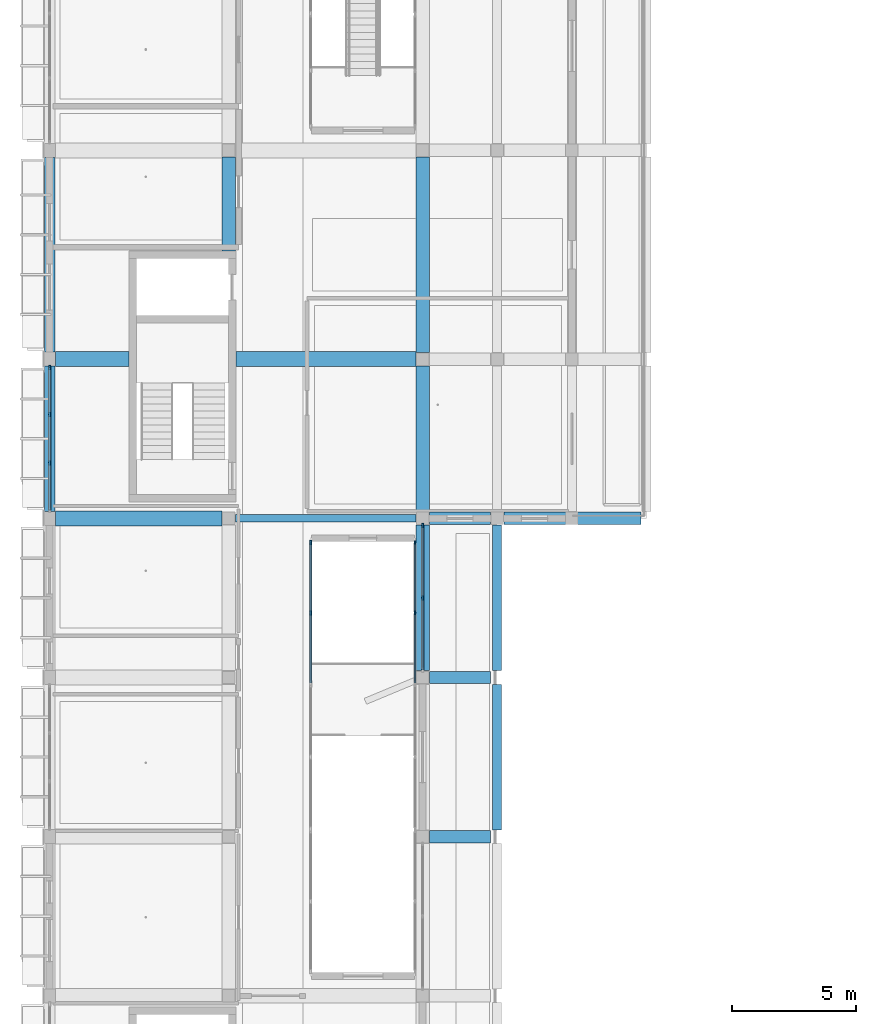
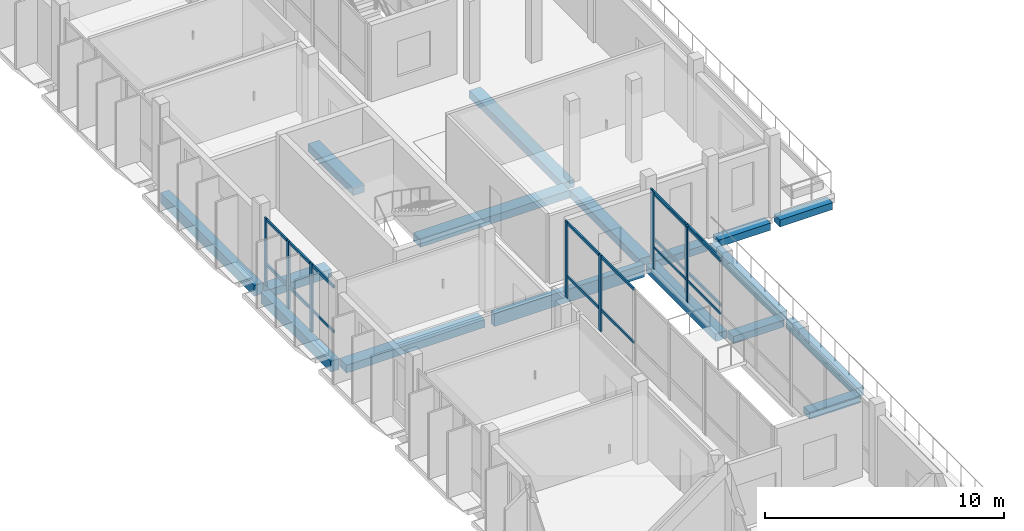
# One storey, part 9 of 85: 17 beams, 17 members, 4 elements without a shape of their own.
"""IFC4 building model written with IfcOpenShell, lengths in metres."""

from ifc_helpers import new_model, si_unit, derived_unit, direction, frame, origin, origin_2d, place, context, subcontext, project, spatial, rectangle, extrude, material, material_profile, profile_set, type_object, element, aggregate, save


model = new_model("IFC4")

# Units and contexts
model_context = context("Model", 3, precision=1e-05, world=origin(), true_north=direction((0.0, 1.0)))
body_context = subcontext(model_context, "Body", "Model", "MODEL_VIEW")
ifc_project = project(units=[si_unit("LENGTHUNIT", "METRE"), si_unit("AREAUNIT", "SQUARE_METRE"), si_unit("VOLUMEUNIT", "CUBIC_METRE"), si_unit("PLANEANGLEUNIT", "RADIAN"), si_unit("MASSUNIT", "GRAM", prefix="KILO"), derived_unit("THERMALTRANSMITTANCEUNIT", [(si_unit("POWERUNIT", "WATT"), 1), (si_unit("LENGTHUNIT", "METRE"), -2), (si_unit("THERMODYNAMICTEMPERATUREUNIT", "KELVIN"), -1)])], contexts=[model_context])

# Site, building, storey
site_placement = place(None, origin())
site = spatial("IfcSite", under=ifc_project, at=site_placement, CompositionType="ELEMENT")
building_placement = place(site_placement, origin())
building = spatial("IfcBuilding", under=site, at=building_placement, Name="Braskholm Square Health Centre", CompositionType="ELEMENT")
storey_placement = place(building_placement, frame((0.0, 0.0, 9.300048828125)))
storey = spatial("IfcBuildingStorey", under=building, at=storey_placement, Name="L03", CompositionType="ELEMENT", Elevation=9.300048828125)

# Curtain wall, members
ifc_material_1 = material(Name="Low-E triple insulating glass (VLT 0.64)", Category="glass")
curtain_wall_type_1 = type_object("IfcCurtainWallType", Name="UnitisedCurtainWall5400x3800", PredefinedType="NOTDEFINED", material=ifc_material_1)
curtain_wall_1_placement = place(storey_placement, origin())
curtain_wall_1 = element("IfcCurtainWall", 1, at=curtain_wall_1_placement, inside=storey, type_object=curtain_wall_type_1, Name="WC1 Court E unitised curtain wall CW-L03-0266", PredefinedType="NOTDEFINED")
ifc_material_2 = material(Name="Architectural bronze anodised aluminium", Category="aluminium")
ifc_material_profile_1 = material_profile(ifc_material_2, rectangle(XDim=0.06494140625, YDim=0.14990234375, at=origin_2d()), Name="ALU-65X150")
ifc_profile_set_1 = profile_set([ifc_material_profile_1], Name="Architectural bronze anodised aluminium")
member_type_1 = type_object("IfcMemberType", Name="CurtainWallMullion65x150", PredefinedType="MULLION", material=ifc_profile_set_1)
member_1_placement = place(storey_placement, frame((18.89990234375, 48.025634765625, 0.0), z_axis=(0.0, 0.0, 1.0), x_axis=(1.0, 0.0, 0.0)))
member_1 = element("IfcMember", 2, at=member_1_placement, type_object=member_type_1, Name="CW-L03-0266 vertical mullion 1", PredefinedType="MULLION", context=body_context, shape_type="SweptSolid", body=[
    extrude(rectangle(XDim=0.06494140625, YDim=0.14990234375, at=origin_2d()), origin(), (0.0, 0.0, 1.0), 3.89990234375),
])
member_2_placement = place(storey_placement, frame((18.89990234375, 45.198974609375, 0.0), z_axis=(0.0, 0.0, 1.0), x_axis=(1.0, 0.0, 0.0)))
member_2 = element("IfcMember", 3, at=member_2_placement, type_object=member_type_1, Name="CW-L03-0266 vertical mullion 2", PredefinedType="MULLION", context=body_context, shape_type="SweptSolid", body=[
    extrude(rectangle(XDim=0.06494140625, YDim=0.14990234375, at=origin_2d()), origin(), (0.0, 0.0, 1.0), 3.89990234375),
])

curtain_wall_type_2 = type_object("IfcCurtainWallType", Name="UnitisedCurtainWall6200x3650", PredefinedType="NOTDEFINED", material=ifc_material_1)
curtain_wall_2_placement = place(storey_placement, origin())
curtain_wall_2 = element("IfcCurtainWall", 4, at=curtain_wall_2_placement, inside=storey, type_object=curtain_wall_type_2, Name="West Outer unitised curtain wall CW-L03-0017", PredefinedType="NOTDEFINED")
ifc_material_profile_2 = material_profile(ifc_material_2, rectangle(XDim=0.074951171875, YDim=0.179931640625, at=origin_2d()), Name="ALU-75X180")
ifc_profile_set_2 = profile_set([ifc_material_profile_2], Name="Architectural bronze anodised aluminium")
member_type_2 = type_object("IfcMemberType", Name="CurtainWallMullion75x180", PredefinedType="MULLION", material=ifc_profile_set_2)
member_3_placement = place(storey_placement, frame((4.199951171875, 55.0751953125, 0.0), z_axis=(0.0, 0.0, 1.0), x_axis=(1.0, 0.0, 0.0)))
member_3 = element("IfcMember", 5, at=member_3_placement, type_object=member_type_2, Name="CW-L03-0017 vertical mullion 1", PredefinedType="MULLION", context=body_context, shape_type="SweptSolid", body=[
    extrude(rectangle(XDim=0.074951171875, YDim=0.179931640625, at=origin_2d()), origin(), (0.0, 0.0, 1.0), 3.47998046875),
])
member_4_placement = place(storey_placement, frame((4.199951171875, 53.169921875, 0.0), z_axis=(0.0, 0.0, 1.0), x_axis=(1.0, 0.0, 0.0)))
member_4 = element("IfcMember", 6, at=member_4_placement, type_object=member_type_2, Name="CW-L03-0017 vertical mullion 2", PredefinedType="MULLION", context=body_context, shape_type="SweptSolid", body=[
    extrude(rectangle(XDim=0.074951171875, YDim=0.179931640625, at=origin_2d()), origin(), (0.0, 0.0, 1.0), 3.47998046875),
])
member_5_placement = place(storey_placement, frame((4.199951171875, 51.22998046875, 0.0), z_axis=(0.0, 0.0, 1.0), x_axis=(1.0, 0.0, 0.0)))
member_5 = element("IfcMember", 7, at=member_5_placement, type_object=member_type_2, Name="CW-L03-0017 vertical mullion 3", PredefinedType="MULLION", context=body_context, shape_type="SweptSolid", body=[
    extrude(rectangle(XDim=0.074951171875, YDim=0.179931640625, at=origin_2d()), origin(), (0.0, 0.0, 1.0), 3.47998046875),
])

curtain_wall_3_placement = place(storey_placement, origin())
curtain_wall_3 = element("IfcCurtainWall", 8, at=curtain_wall_3_placement, inside=storey, type_object=curtain_wall_type_2, Name="West Valley unitised curtain wall CW-L03-0093", PredefinedType="NOTDEFINED")
member_6_placement = place(storey_placement, frame((19.199951171875, 45.800048828125, 0.0), z_axis=(0.0, 0.0, 1.0), x_axis=(1.0, 0.0, 0.0)))
member_6 = element("IfcMember", 9, at=member_6_placement, type_object=member_type_2, Name="CW-L03-0093 vertical mullion 2", PredefinedType="MULLION", context=body_context, shape_type="SweptSolid", body=[
    extrude(rectangle(XDim=0.074951171875, YDim=0.179931640625, at=origin_2d()), origin(), (0.0, 0.0, 1.0), 3.570068359375),
])
member_7_placement = place(storey_placement, frame((19.199951171875, 48.70458984375, 0.0), z_axis=(0.0, 0.0, 1.0), x_axis=(1.0, 0.0, 0.0)))
member_7 = element("IfcMember", 10, at=member_7_placement, type_object=member_type_2, Name="CW-L03-0093 vertical mullion 3", PredefinedType="MULLION", context=body_context, shape_type="SweptSolid", body=[
    extrude(rectangle(XDim=0.074951171875, YDim=0.179931640625, at=origin_2d()), origin(), (0.0, 0.0, 1.0), 3.570068359375),
])

curtain_wall_4_placement = place(storey_placement, origin())
curtain_wall_4 = element("IfcCurtainWall", 11, at=curtain_wall_4_placement, inside=storey, type_object=curtain_wall_type_1, Name="WC1 Court W unitised curtain wall CW-L03-0265", PredefinedType="NOTDEFINED")
member_8_placement = place(storey_placement, frame((14.699951171875, 45.198974609375, 0.0), z_axis=(0.0, 0.0, 1.0), x_axis=(1.0, 0.0, 0.0)))
member_8 = element("IfcMember", 12, at=member_8_placement, type_object=member_type_2, Name="CW-L03-0265 vertical mullion 2", PredefinedType="MULLION", context=body_context, shape_type="SweptSolid", body=[
    extrude(rectangle(XDim=0.074951171875, YDim=0.179931640625, at=origin_2d()), origin(), (0.0, 0.0, 1.0), 3.89990234375),
])
member_9_placement = place(storey_placement, frame((14.699951171875, 48.025634765625, 0.0), z_axis=(0.0, 0.0, 1.0), x_axis=(1.0, 0.0, 0.0)))
member_9 = element("IfcMember", 13, at=member_9_placement, type_object=member_type_2, Name="CW-L03-0265 vertical mullion 3", PredefinedType="MULLION", context=body_context, shape_type="SweptSolid", body=[
    extrude(rectangle(XDim=0.074951171875, YDim=0.179931640625, at=origin_2d()), origin(), (0.0, 0.0, 1.0), 3.89990234375),
])

# Member
ifc_material_profile_3 = material_profile(ifc_material_2, rectangle(XDim=0.06494140625, YDim=0.1201171875, at=origin_2d()), Name="ALU-65X120")
ifc_profile_set_3 = profile_set([ifc_material_profile_3], Name="Architectural bronze anodised aluminium")
member_type_3 = type_object("IfcMemberType", Name="CurtainWallTransom65x120", PredefinedType="USERDEFINED", material=ifc_profile_set_3)
member_10_placement = place(storey_placement, frame((18.89990234375, 48.014892578125, 1.119873046875), z_axis=(0.0, -1.0, 0.0), x_axis=(1.0, 0.0, 0.0)))
member_10 = element("IfcMember", 14, at=member_10_placement, type_object=member_type_3, Name="CW-L03-0266 horizontal transom 1", ObjectType="TRANSOM", PredefinedType="USERDEFINED", context=body_context, shape_type="SweptSolid", body=[
    extrude(rectangle(XDim=0.06494140625, YDim=0.1201171875, at=origin_2d()), origin(), (0.0, 0.0, 1.0), 5.6318359375),
])

member_11_placement = place(storey_placement, frame((18.89990234375, 48.014892578125, 3.829833984375), z_axis=(0.0, -1.0, 0.0), x_axis=(1.0, 0.0, 0.0)))
member_11 = element("IfcMember", 15, at=member_11_placement, type_object=member_type_3, Name="CW-L03-0266 horizontal transom 2", ObjectType="TRANSOM", PredefinedType="USERDEFINED", context=body_context, shape_type="SweptSolid", body=[
    extrude(rectangle(XDim=0.06494140625, YDim=0.1201171875, at=origin_2d()), origin(), (0.0, 0.0, 1.0), 5.6318359375),
])

aggregate(curtain_wall_1, [member_1, member_2, member_10, member_11])

ifc_material_profile_4 = material_profile(ifc_material_2, rectangle(XDim=0.074951171875, YDim=0.139892578125, at=origin_2d()), Name="ALU-75X140")
ifc_profile_set_4 = profile_set([ifc_material_profile_4], Name="Architectural bronze anodised aluminium")
member_type_4 = type_object("IfcMemberType", Name="CurtainWallTransom75x140", PredefinedType="USERDEFINED", material=ifc_profile_set_4)
member_12_placement = place(storey_placement, frame((4.199951171875, 55.06494140625, 1.119873046875), z_axis=(0.0, -1.0, 0.0), x_axis=(1.0, 0.0, 0.0)))
member_12 = element("IfcMember", 16, at=member_12_placement, type_object=member_type_4, Name="CW-L03-0017 horizontal transom 1", ObjectType="TRANSOM", PredefinedType="USERDEFINED", context=body_context, shape_type="SweptSolid", body=[
    extrude(rectangle(XDim=0.074951171875, YDim=0.139892578125, at=origin_2d()), origin(), (0.0, 0.0, 1.0), 5.72998046875),
])

member_13_placement = place(storey_placement, frame((4.199951171875, 55.06494140625, 3.409912109375), z_axis=(0.0, -1.0, 0.0), x_axis=(1.0, 0.0, 0.0)))
member_13 = element("IfcMember", 17, at=member_13_placement, type_object=member_type_4, Name="CW-L03-0017 horizontal transom 2", ObjectType="TRANSOM", PredefinedType="USERDEFINED", context=body_context, shape_type="SweptSolid", body=[
    extrude(rectangle(XDim=0.074951171875, YDim=0.139892578125, at=origin_2d()), origin(), (0.0, 0.0, 1.0), 5.72998046875),
])

aggregate(curtain_wall_2, [member_3, member_4, member_5, member_12, member_13])

member_14_placement = place(storey_placement, frame((19.199951171875, 42.905029296875, 1.119873046875), z_axis=(0.0, 1.0, 0.0), x_axis=(-1.0, 0.0, 0.0)))
member_14 = element("IfcMember", 18, at=member_14_placement, type_object=member_type_4, Name="CW-L03-0093 horizontal transom 1", ObjectType="TRANSOM", PredefinedType="USERDEFINED", context=body_context, shape_type="SweptSolid", body=[
    extrude(rectangle(XDim=0.074951171875, YDim=0.139892578125, at=origin_2d()), origin(), (0.0, 0.0, 1.0), 5.7900390625),
])

member_15_placement = place(storey_placement, frame((19.199951171875, 42.905029296875, 3.5), z_axis=(0.0, 1.0, 0.0), x_axis=(-1.0, 0.0, 0.0)))
member_15 = element("IfcMember", 19, at=member_15_placement, type_object=member_type_4, Name="CW-L03-0093 horizontal transom 2", ObjectType="TRANSOM", PredefinedType="USERDEFINED", context=body_context, shape_type="SweptSolid", body=[
    extrude(rectangle(XDim=0.074951171875, YDim=0.139892578125, at=origin_2d()), origin(), (0.0, 0.0, 1.0), 5.7900390625),
])

aggregate(curtain_wall_3, [member_6, member_7, member_14, member_15])

member_16_placement = place(storey_placement, frame((14.699951171875, 42.383056640625, 1.119873046875), z_axis=(0.0, 1.0, 0.0), x_axis=(-1.0, 0.0, 0.0)))
member_16 = element("IfcMember", 20, at=member_16_placement, type_object=member_type_4, Name="CW-L03-0265 horizontal transom 1", ObjectType="TRANSOM", PredefinedType="USERDEFINED", context=body_context, shape_type="SweptSolid", body=[
    extrude(rectangle(XDim=0.074951171875, YDim=0.139892578125, at=origin_2d()), origin(), (0.0, 0.0, 1.0), 5.6318359375),
])

member_17_placement = place(storey_placement, frame((14.699951171875, 42.383056640625, 3.829833984375), z_axis=(0.0, 1.0, 0.0), x_axis=(-1.0, 0.0, 0.0)))
member_17 = element("IfcMember", 21, at=member_17_placement, type_object=member_type_4, Name="CW-L03-0265 horizontal transom 2", ObjectType="TRANSOM", PredefinedType="USERDEFINED", context=body_context, shape_type="SweptSolid", body=[
    extrude(rectangle(XDim=0.074951171875, YDim=0.139892578125, at=origin_2d()), origin(), (0.0, 0.0, 1.0), 5.6318359375),
])

aggregate(curtain_wall_4, [member_8, member_9, member_16, member_17])

# Beams
ifc_material_3 = material(Name="Concrete C35/45 (f'c = 35 MPa)", Category="concrete")
ifc_material_profile_5 = material_profile(ifc_material_3, rectangle(XDim=0.5, YDim=0.360107421875, at=origin_2d()), Name="RCB-500X360")
ifc_profile_set_5 = profile_set([ifc_material_profile_5], Name="Concrete C35/45 (f'c = 35 MPa)")
beam_type_1 = type_object("IfcBeamType", Name="PrimaryBandBeam500x360", PredefinedType="BEAM", material=ifc_profile_set_5)
for number, where, z_axis, x_axis, name in (
    (22, (19.47509765625, 36.199951171875, -0.429931640625), (1.0, 0.0, 0.0), (0.0, 1.0, 0.0), "Beam 3-4/F L03"),
    (23, (19.47509765625, 42.60009765625, -0.429931640625), (1.0, 0.0, 0.0), (0.0, 1.0, 0.0), "Beam 3-4/G L03"),
    (24, (19.47509765625, 49.0, -0.429931640625), (1.0, 0.0, 0.0), (0.0, 1.0, 0.0), "Beam 3-4/H L03"),
):
    element("IfcBeam", number, at=place(storey_placement, frame(where, z_axis=z_axis, x_axis=x_axis)), inside=storey, type_object=beam_type_1, Name=name, PredefinedType="BEAM", context=body_context, shape_type="SweptSolid", body=[
        extrude(rectangle(XDim=0.5, YDim=0.360107421875, at=origin_2d()), origin(), (0.0, 0.0, 1.0), 2.449951171875),
    ])
beam_1_placement = place(storey_placement, frame((22.47509765625, 49.0, -0.429931640625), z_axis=(1.0, 0.0, 0.0), x_axis=(0.0, 1.0, 0.0)))
element("IfcBeam", 25, at=beam_1_placement, inside=storey, type_object=beam_type_1, Name="Beam 4-5/H L03", PredefinedType="BEAM", context=body_context, shape_type="SweptSolid", body=[
    extrude(rectangle(XDim=0.5, YDim=0.360107421875, at=origin_2d()), origin(), (0.0, 0.0, 1.0), 2.5048828125),
])
beam_2_placement = place(storey_placement, frame((25.419921875, 49.0, -0.429931640625), z_axis=(1.0, 0.0, 0.0), x_axis=(0.0, 1.0, 0.0)))
element("IfcBeam", 26, at=beam_2_placement, inside=storey, type_object=beam_type_1, Name="Beam 5-6/H L03", PredefinedType="BEAM", context=body_context, shape_type="SweptSolid", body=[
    extrude(rectangle(XDim=0.5, YDim=0.360107421875, at=origin_2d()), origin(), (0.0, 0.0, 1.0), 2.56005859375),
])
ifc_material_profile_6 = material_profile(ifc_material_3, rectangle(XDim=0.550048828125, YDim=0.3798828125, at=origin_2d()), Name="RCB-550X380")
ifc_profile_set_6 = profile_set([ifc_material_profile_6], Name="Concrete C35/45 (f'c = 35 MPa)")
beam_type_2 = type_object("IfcBeamType", Name="PrimaryBandBeam550x380", PredefinedType="BEAM", material=ifc_profile_set_6)
beam_3_placement = place(storey_placement, frame((11.39990234375, 59.75, -0.489990234375), z_axis=(0.0, 1.0, 0.0), x_axis=(-1.0, 0.0, 0.0)))
element("IfcBeam", 27, at=beam_3_placement, inside=storey, type_object=beam_type_2, Name="Beam 2/H-K L03", PredefinedType="BEAM", context=body_context, shape_type="SweptSolid", body=[
    extrude(rectangle(XDim=0.550048828125, YDim=0.3798828125, at=origin_2d()), origin(), (0.0, 0.0, 1.0), 3.77490234375),
])
for number, where, z_axis, x_axis, name in (
    (28, (19.199951171875, 42.875, -0.43994140625), (0.0, 1.0, 0.0), (-1.0, 0.0, 0.0), "Beam 3/G-H L03"),
    (29, (19.199951171875, 49.27490234375, -0.489990234375), (0.0, 1.0, 0.0), (-1.0, 0.0, 0.0), "Beam 3/H-J L03"),
):
    element("IfcBeam", number, at=place(storey_placement, frame(where, z_axis=z_axis, x_axis=x_axis)), inside=storey, type_object=beam_type_2, Name=name, PredefinedType="BEAM", context=body_context, shape_type="SweptSolid", body=[
        extrude(rectangle(XDim=0.550048828125, YDim=0.3798828125, at=origin_2d()), origin(), (0.0, 0.0, 1.0), 5.85009765625),
    ])
beam_4_placement = place(storey_placement, frame((19.199951171875, 55.675048828125, -0.489990234375), z_axis=(0.0, 1.0, 0.0), x_axis=(-1.0, 0.0, 0.0)))
element("IfcBeam", 30, at=beam_4_placement, inside=storey, type_object=beam_type_2, Name="Beam 3/J-K L03", PredefinedType="BEAM", context=body_context, shape_type="SweptSolid", body=[
    extrude(rectangle(XDim=0.550048828125, YDim=0.3798828125, at=origin_2d()), origin(), (0.0, 0.0, 1.0), 7.849853515625),
])
ifc_material_profile_7 = material_profile(ifc_material_3, rectangle(XDim=0.60009765625, YDim=0.39990234375, at=origin_2d()), Name="RCB-600X400")
ifc_profile_set_7 = profile_set([ifc_material_profile_7], Name="Concrete C35/45 (f'c = 35 MPa)")
beam_type_3 = type_object("IfcBeamType", Name="PrimaryBandBeam600x400", PredefinedType="BEAM", material=ifc_profile_set_7)
beam_5_placement = place(storey_placement, frame((4.429931640625, 49.0, -0.5), z_axis=(1.0, 0.0, 0.0), x_axis=(0.0, 1.0, 0.0)))
element("IfcBeam", 31, at=beam_5_placement, inside=storey, type_object=beam_type_3, Name="Beam 1-2/H L03", PredefinedType="BEAM", context=body_context, shape_type="SweptSolid", body=[
    extrude(rectangle(XDim=0.60009765625, YDim=0.39990234375, at=origin_2d()), origin(), (0.0, 0.0, 1.0), 6.695068359375),
])
beam_6_placement = place(storey_placement, frame((4.429931640625, 55.39990234375, -0.5), z_axis=(1.0, 0.0, 0.0), x_axis=(0.0, 1.0, 0.0)))
element("IfcBeam", 32, at=beam_6_placement, inside=storey, type_object=beam_type_3, Name="Beam 1-3/J L03", PredefinedType="BEAM", context=body_context, shape_type="SweptSolid", body=[
    extrude(rectangle(XDim=0.60009765625, YDim=0.39990234375, at=origin_2d()), origin(), (0.0, 0.0, 1.0), 2.969970703125),
])
beam_7_placement = place(storey_placement, frame((11.699951171875, 55.39990234375, -0.5), z_axis=(1.0, 0.0, 0.0), x_axis=(0.0, 1.0, 0.0)))
element("IfcBeam", 33, at=beam_7_placement, inside=storey, type_object=beam_type_3, Name="Beam 1-3/J L03", PredefinedType="BEAM", context=body_context, shape_type="SweptSolid", body=[
    extrude(rectangle(XDim=0.60009765625, YDim=0.39990234375, at=origin_2d()), origin(), (0.0, 0.0, 1.0), 7.22509765625),
])
ifc_material_4 = material(Name="Concrete C40/50 (f'c = 40 MPa)", Category="concrete")
ifc_material_profile_8 = material_profile(ifc_material_4, rectangle(XDim=0.300048828125, YDim=0.64990234375, at=origin_2d()), Name="RCB-300X650")
ifc_profile_set_8 = profile_set([ifc_material_profile_8], Name="Concrete C40/50 (f'c = 40 MPa)")
beam_type_4 = type_object("IfcBeamType", Name="PrimaryCoreCoupling300x650", PredefinedType="BEAM", material=ifc_profile_set_8)
beam_8_placement = place(storey_placement, frame((11.675048828125, 49.0, -0.625), z_axis=(1.0, 0.0, 0.0), x_axis=(0.0, 1.0, 0.0)))
element("IfcBeam", 34, at=beam_8_placement, inside=storey, type_object=beam_type_4, Name="Beam 2-3/H L03", PredefinedType="BEAM", context=body_context, shape_type="SweptSolid", body=[
    extrude(rectangle(XDim=0.300048828125, YDim=0.64990234375, at=origin_2d()), origin(), (0.0, 0.0, 1.0), 7.25),
])
ifc_material_5 = material(Name="Precast concrete C40/50 architectural white", Category="concrete")
ifc_material_profile_9 = material_profile(ifc_material_5, rectangle(XDim=0.419921875, YDim=0.550048828125, at=origin_2d()), Name="RCB-420X550")
ifc_profile_set_9 = profile_set([ifc_material_profile_9], Name="Precast concrete C40/50 architectural white")
beam_type_5 = type_object("IfcBeamType", Name="SpandrelPrecastLedge420x550", PredefinedType="SPANDREL", material=ifc_profile_set_9)
beam_9_placement = place(storey_placement, frame((4.199951171875, 49.280029296875, -0.574951171875), z_axis=(0.0, 1.0, 0.0), x_axis=(-1.0, 0.0, 0.0)))
element("IfcBeam", 35, at=beam_9_placement, inside=storey, type_object=beam_type_5, Name="Beam 1/H-J L03", PredefinedType="SPANDREL", context=body_context, shape_type="SweptSolid", body=[
    extrude(rectangle(XDim=0.419921875, YDim=0.550048828125, at=origin_2d()), origin(), (0.0, 0.0, 1.0), 5.840087890625),
])
beam_10_placement = place(storey_placement, frame((4.199951171875, 55.679931640625, -0.574951171875), z_axis=(0.0, 1.0, 0.0), x_axis=(-1.0, 0.0, 0.0)))
element("IfcBeam", 36, at=beam_10_placement, inside=storey, type_object=beam_type_5, Name="Beam 1/J-K L03", PredefinedType="SPANDREL", context=body_context, shape_type="SweptSolid", body=[
    extrude(rectangle(XDim=0.419921875, YDim=0.550048828125, at=origin_2d()), origin(), (0.0, 0.0, 1.0), 7.840087890625),
])
ifc_material_profile_10 = material_profile(ifc_material_5, rectangle(XDim=0.360107421875, YDim=0.4599609375, at=origin_2d()), Name="RCB-360X460")
ifc_profile_set_10 = profile_set([ifc_material_profile_10], Name="Precast concrete C40/50 architectural white")
beam_type_6 = type_object("IfcBeamType", Name="SpandrelTerraceEdge360x460", PredefinedType="SPANDREL", material=ifc_profile_set_10)
beam_11_placement = place(storey_placement, frame((22.199951171875, 36.47509765625, -0.47998046875), z_axis=(0.0, 1.0, 0.0), x_axis=(-1.0, 0.0, 0.0)))
element("IfcBeam", 37, at=beam_11_placement, inside=storey, type_object=beam_type_6, Name="Beam 4/F-G L03", PredefinedType="SPANDREL", context=body_context, shape_type="SweptSolid", body=[
    extrude(rectangle(XDim=0.360107421875, YDim=0.4599609375, at=origin_2d()), origin(), (0.0, 0.0, 1.0), 5.849853515625),
])
beam_12_placement = place(storey_placement, frame((22.199951171875, 42.875, -0.47998046875), z_axis=(0.0, 1.0, 0.0), x_axis=(-1.0, 0.0, 0.0)))
element("IfcBeam", 38, at=beam_12_placement, inside=storey, type_object=beam_type_6, Name="Beam 4/G-H L03", PredefinedType="SPANDREL", context=body_context, shape_type="SweptSolid", body=[
    extrude(rectangle(XDim=0.360107421875, YDim=0.4599609375, at=origin_2d()), origin(), (0.0, 0.0, 1.0), 5.85009765625),
])

save(model, "model.ifc")
